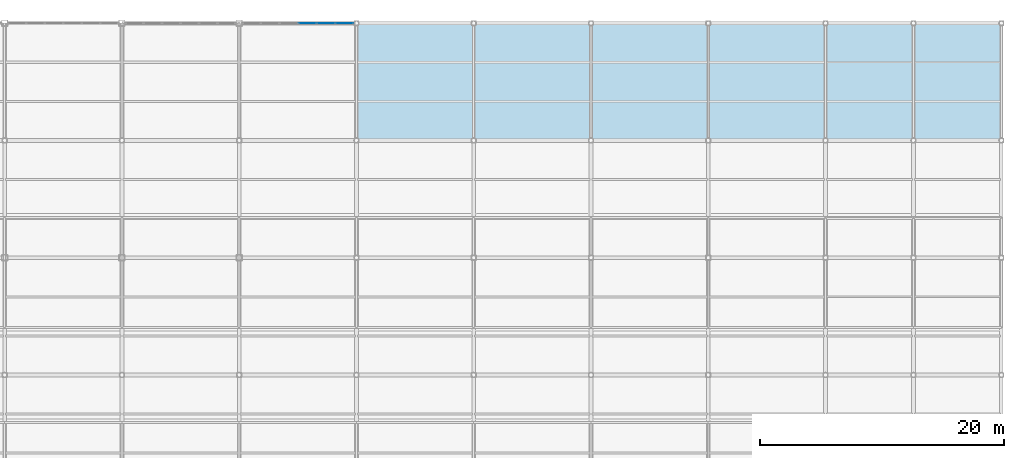
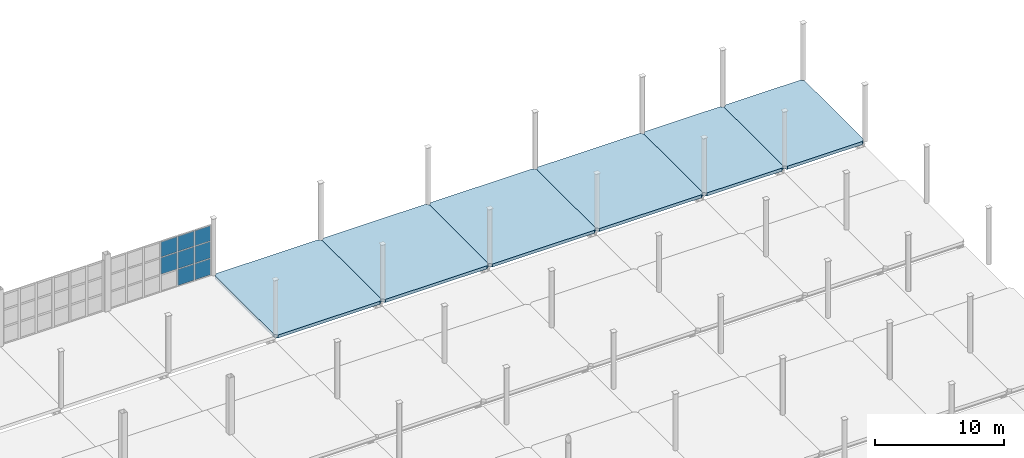
# One storey, part 56 of 85: 8 plates, 6 slabs, 1 element without a shape of its own.
"""IFC4 building model written with IfcOpenShell, lengths in metres."""

from ifc_helpers import new_model, si_unit, direction, frame, origin, origin_2d, place, context, subcontext, project, spatial, polyline, rectangle, outline, extrude, material, layer, layer_set, type_object, element, aggregate, save


model = new_model("IFC4")

# Units and contexts
model_context = context("Model", 3, precision=1e-05, world=origin(), true_north=direction((0.0, 1.0)))
body_context = subcontext(model_context, "Body", "Model", "MODEL_VIEW")
ifc_project = project(units=[si_unit("LENGTHUNIT", "METRE"), si_unit("AREAUNIT", "SQUARE_METRE"), si_unit("VOLUMEUNIT", "CUBIC_METRE"), si_unit("PLANEANGLEUNIT", "RADIAN"), si_unit("MASSUNIT", "GRAM", prefix="KILO")], contexts=[model_context])

# Site, building, storey
site_placement = place(None, origin())
site = spatial("IfcSite", under=ifc_project, at=site_placement, CompositionType="ELEMENT")
building_placement = place(site_placement, origin())
building = spatial("IfcBuilding", under=site, at=building_placement, Name="Zarnetskaya Central Station", CompositionType="ELEMENT")
storey_placement = place(building_placement, origin())
storey = spatial("IfcBuildingStorey", under=building, at=storey_placement, Name="L00", CompositionType="ELEMENT", Elevation=0.0)

# Curtain wall, plates
ifc_material_1 = material(Name="Low-E insulated glass", Category="glass")
ifc_layer_1 = layer(ifc_material_1, 0.16796875, Name="Low-E insulated glass", Category="glass")
ifc_layer_set_1 = layer_set([ifc_layer_1], Name="Low-E insulated glass")
curtain_wall_type = type_object("IfcCurtainWallType", Name="CW-SYS-13", PredefinedType="USERDEFINED", material=ifc_layer_set_1)
curtain_wall_placement = place(storey_placement, origin())
curtain_wall = element("IfcCurtainWall", 1, at=curtain_wall_placement, inside=storey, type_object=curtain_wall_type, Name="Curtain wall CW-L00-185", ObjectType="CURTAIN WALL", PredefinedType="USERDEFINED")
ifc_layer_2 = layer(ifc_material_1, 0.028076171875, Name="Low-E insulated glass", Category="glass")
ifc_layer_set_2 = layer_set([ifc_layer_2], Name="Low-E insulated glass")
plate_type = type_object("IfcPlateType", Name="CW-PAN-28", PredefinedType="CURTAIN_PANEL", material=ifc_layer_set_2)
plate_1_placement = place(storey_placement, frame((130.3857421875, 124.800048828125, 1.6669921875), z_axis=(0.0, 0.0, 1.0), x_axis=(1.0, 0.0, 0.0)))
plate_1 = element("IfcPlate", 2, at=plate_1_placement, type_object=plate_type, Name="CW-04 panel 4.2", PredefinedType="CURTAIN_PANEL", context=body_context, shape_type="SweptSolid", body=[
    extrude(rectangle(XDim=1.454345703125, YDim=0.028076171875, at=origin_2d()), origin(), (0.0, 0.0, 1.0), 1.56201171875),
])
plate_2_placement = place(storey_placement, frame((130.3857421875, 124.800048828125, 3.298828125), z_axis=(0.0, 0.0, 1.0), x_axis=(1.0, 0.0, 0.0)))
plate_2 = element("IfcPlate", 3, at=plate_2_placement, type_object=plate_type, Name="CW-04 panel 4.3", PredefinedType="CURTAIN_PANEL", context=body_context, shape_type="SweptSolid", body=[
    extrude(rectangle(XDim=1.454345703125, YDim=0.028076171875, at=origin_2d()), origin(), (0.0, 0.0, 1.0), 1.430908203125),
])
plate_3_placement = place(storey_placement, frame((131.91015625, 124.800048828125, 0.06982421875), z_axis=(0.0, 0.0, 1.0), x_axis=(1.0, 0.0, 0.0)))
plate_3 = element("IfcPlate", 4, at=plate_3_placement, type_object=plate_type, Name="CW-04 panel 5.1", PredefinedType="CURTAIN_PANEL", context=body_context, shape_type="SweptSolid", body=[
    extrude(rectangle(XDim=1.454345703125, YDim=0.028076171875, at=origin_2d()), origin(), (0.0, 0.0, 1.0), 1.527099609375),
])
plate_4_placement = place(storey_placement, frame((131.91015625, 124.800048828125, 1.6669921875), z_axis=(0.0, 0.0, 1.0), x_axis=(1.0, 0.0, 0.0)))
plate_4 = element("IfcPlate", 5, at=plate_4_placement, type_object=plate_type, Name="CW-04 panel 5.2", PredefinedType="CURTAIN_PANEL", context=body_context, shape_type="SweptSolid", body=[
    extrude(rectangle(XDim=1.454345703125, YDim=0.028076171875, at=origin_2d()), origin(), (0.0, 0.0, 1.0), 1.56201171875),
])
plate_5_placement = place(storey_placement, frame((131.91015625, 124.800048828125, 3.298828125), z_axis=(0.0, 0.0, 1.0), x_axis=(1.0, 0.0, 0.0)))
plate_5 = element("IfcPlate", 6, at=plate_5_placement, type_object=plate_type, Name="CW-04 panel 5.3", PredefinedType="CURTAIN_PANEL", context=body_context, shape_type="SweptSolid", body=[
    extrude(rectangle(XDim=1.454345703125, YDim=0.028076171875, at=origin_2d()), origin(), (0.0, 0.0, 1.0), 1.430908203125),
])
plate_6_placement = place(storey_placement, frame((133.4169921875, 124.800048828125, 0.06982421875), z_axis=(0.0, 0.0, 1.0), x_axis=(1.0, 0.0, 0.0)))
plate_6 = element("IfcPlate", 7, at=plate_6_placement, type_object=plate_type, Name="CW-04 panel 6.1", PredefinedType="CURTAIN_PANEL", context=body_context, shape_type="SweptSolid", body=[
    extrude(rectangle(XDim=1.41943359375, YDim=0.028076171875, at=origin_2d()), origin(), (0.0, 0.0, 1.0), 1.527099609375),
])
plate_7_placement = place(storey_placement, frame((133.4169921875, 124.800048828125, 1.6669921875), z_axis=(0.0, 0.0, 1.0), x_axis=(1.0, 0.0, 0.0)))
plate_7 = element("IfcPlate", 8, at=plate_7_placement, type_object=plate_type, Name="CW-04 panel 6.2", PredefinedType="CURTAIN_PANEL", context=body_context, shape_type="SweptSolid", body=[
    extrude(rectangle(XDim=1.41943359375, YDim=0.028076171875, at=origin_2d()), origin(), (0.0, 0.0, 1.0), 1.56201171875),
])
plate_8_placement = place(storey_placement, frame((133.4169921875, 124.800048828125, 3.298828125), z_axis=(0.0, 0.0, 1.0), x_axis=(1.0, 0.0, 0.0)))
plate_8 = element("IfcPlate", 9, at=plate_8_placement, type_object=plate_type, Name="CW-04 panel 6.3", PredefinedType="CURTAIN_PANEL", context=body_context, shape_type="SweptSolid", body=[
    extrude(rectangle(XDim=1.41943359375, YDim=0.028076171875, at=origin_2d()), origin(), (0.0, 0.0, 1.0), 1.430908203125),
])
aggregate(curtain_wall, [plate_1, plate_2, plate_3, plate_4, plate_5, plate_6, plate_7, plate_8])

# Slabs
ifc_material_2 = material(Name="Precast concrete C40/50", Category="concrete")
ifc_layer_3 = layer(ifc_material_2, 0.2900390625, Name="Precast concrete C40/50", Category="concrete")
ifc_layer_set_3 = layer_set([ifc_layer_3], Name="Precast concrete C40/50")
slab_type = type_object("IfcSlabType", Name="SLAB-PEXT-290", PredefinedType="FLOOR", material=ifc_layer_set_3)
slab_1_placement = place(storey_placement, frame((0.0, 0.0, -0.2900390625)))
element("IfcSlab", 10, at=slab_1_placement, inside=storey, type_object=slab_type, Name="Platform 4 Passenger Boarding Hall deck Q-R", PredefinedType="FLOOR", context=body_context, shape_type="SweptSolid", body=[
    extrude(outline(polyline([(134.639892578125, 115.199951171875), (143.760009765625, 115.199951171875), (144.0, 115.43994140625), (144.0, 124.56005859375), (143.760009765625, 124.800048828125), (134.639892578125, 124.800048828125), (134.39990234375, 124.56005859375), (134.39990234375, 115.43994140625), (134.639892578125, 115.199951171875)])), origin(), (0.0, 0.0, 1.0), 0.2900390625),
])
slab_2_placement = place(storey_placement, frame((0.0, 0.0, -0.2900390625)))
element("IfcSlab", 11, at=slab_2_placement, inside=storey, type_object=slab_type, Name="Platform 4 Passenger Boarding Hall deck R-S", PredefinedType="FLOOR", context=body_context, shape_type="SweptSolid", body=[
    extrude(outline(polyline([(144.239990234375, 115.199951171875), (153.360107421875, 115.199951171875), (153.60009765625, 115.43994140625), (153.60009765625, 124.56005859375), (153.360107421875, 124.800048828125), (144.239990234375, 124.800048828125), (144.0, 124.56005859375), (144.0, 115.43994140625), (144.239990234375, 115.199951171875)])), origin(), (0.0, 0.0, 1.0), 0.2900390625),
])
slab_3_placement = place(storey_placement, frame((0.0, 0.0, -0.2900390625)))
element("IfcSlab", 12, at=slab_3_placement, inside=storey, type_object=slab_type, Name="Platform 4 Passenger Boarding Hall deck S-T", PredefinedType="FLOOR", context=body_context, shape_type="SweptSolid", body=[
    extrude(outline(polyline([(153.840087890625, 115.199951171875), (162.9599609375, 115.199951171875), (163.199951171875, 115.43994140625), (163.199951171875, 124.56005859375), (162.9599609375, 124.800048828125), (153.840087890625, 124.800048828125), (153.60009765625, 124.56005859375), (153.60009765625, 115.43994140625), (153.840087890625, 115.199951171875)])), origin(), (0.0, 0.0, 1.0), 0.2900390625),
])
slab_4_placement = place(storey_placement, frame((0.0, 0.0, -0.2900390625)))
element("IfcSlab", 13, at=slab_4_placement, inside=storey, type_object=slab_type, Name="Platform 4 Passenger Boarding Hall deck T-U", PredefinedType="FLOOR", context=body_context, shape_type="SweptSolid", body=[
    extrude(outline(polyline([(163.43994140625, 115.199951171875), (172.56005859375, 115.199951171875), (172.800048828125, 115.43994140625), (172.800048828125, 124.56005859375), (172.56005859375, 124.800048828125), (163.43994140625, 124.800048828125), (163.199951171875, 124.56005859375), (163.199951171875, 115.43994140625), (163.43994140625, 115.199951171875)])), origin(), (0.0, 0.0, 1.0), 0.2900390625),
])
slab_5_placement = place(storey_placement, frame((0.0, 0.0, -0.2900390625)))
element("IfcSlab", 14, at=slab_5_placement, inside=storey, type_object=slab_type, Name="Platform 4 Passenger Boarding Hall deck U-V", PredefinedType="FLOOR", context=body_context, shape_type="SweptSolid", body=[
    extrude(outline(polyline([(173.0400390625, 115.199951171875), (179.760009765625, 115.199951171875), (180.0, 115.43994140625), (180.0, 124.56005859375), (179.760009765625, 124.800048828125), (173.0400390625, 124.800048828125), (172.800048828125, 124.56005859375), (172.800048828125, 115.43994140625), (173.0400390625, 115.199951171875)])), origin(), (0.0, 0.0, 1.0), 0.2900390625),
])
slab_6_placement = place(storey_placement, frame((0.0, 0.0, -0.2900390625)))
element("IfcSlab", 15, at=slab_6_placement, inside=storey, type_object=slab_type, Name="Platform 4 Passenger Boarding Hall deck V-W", PredefinedType="FLOOR", context=body_context, shape_type="SweptSolid", body=[
    extrude(outline(polyline([(180.239990234375, 115.199951171875), (186.9599609375, 115.199951171875), (187.199951171875, 115.43994140625), (187.199951171875, 124.56005859375), (186.9599609375, 124.800048828125), (180.239990234375, 124.800048828125), (180.0, 124.56005859375), (180.0, 115.43994140625), (180.239990234375, 115.199951171875)])), origin(), (0.0, 0.0, 1.0), 0.2900390625),
])

save(model, "model.ifc")
